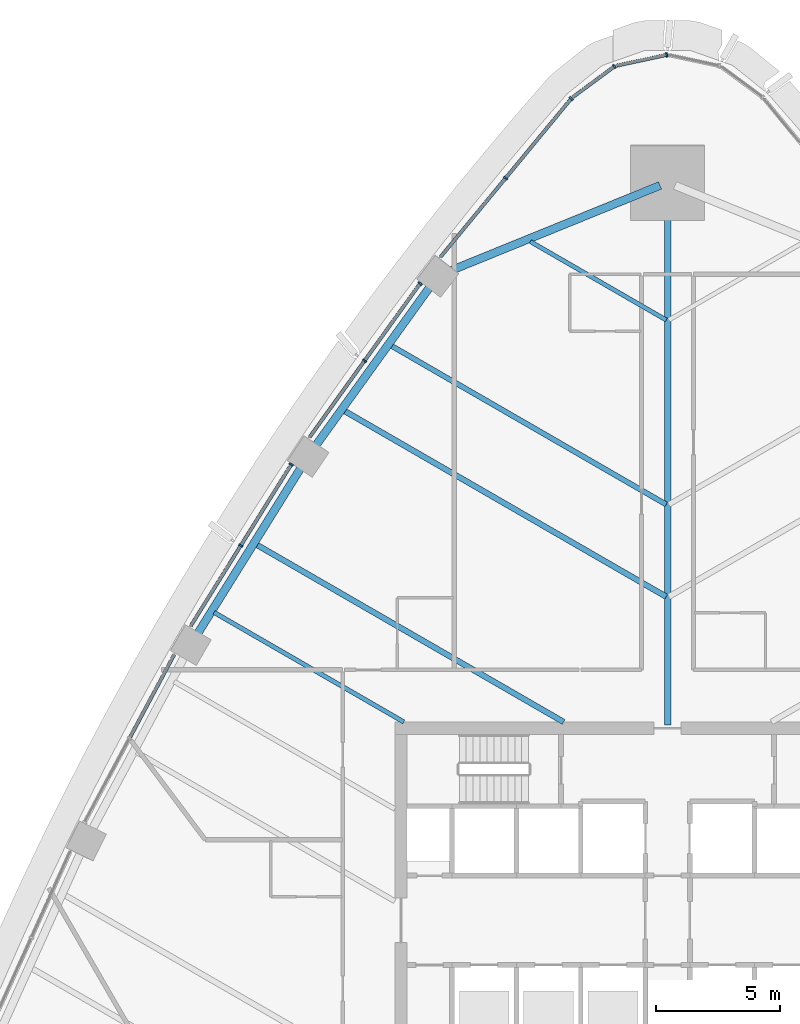
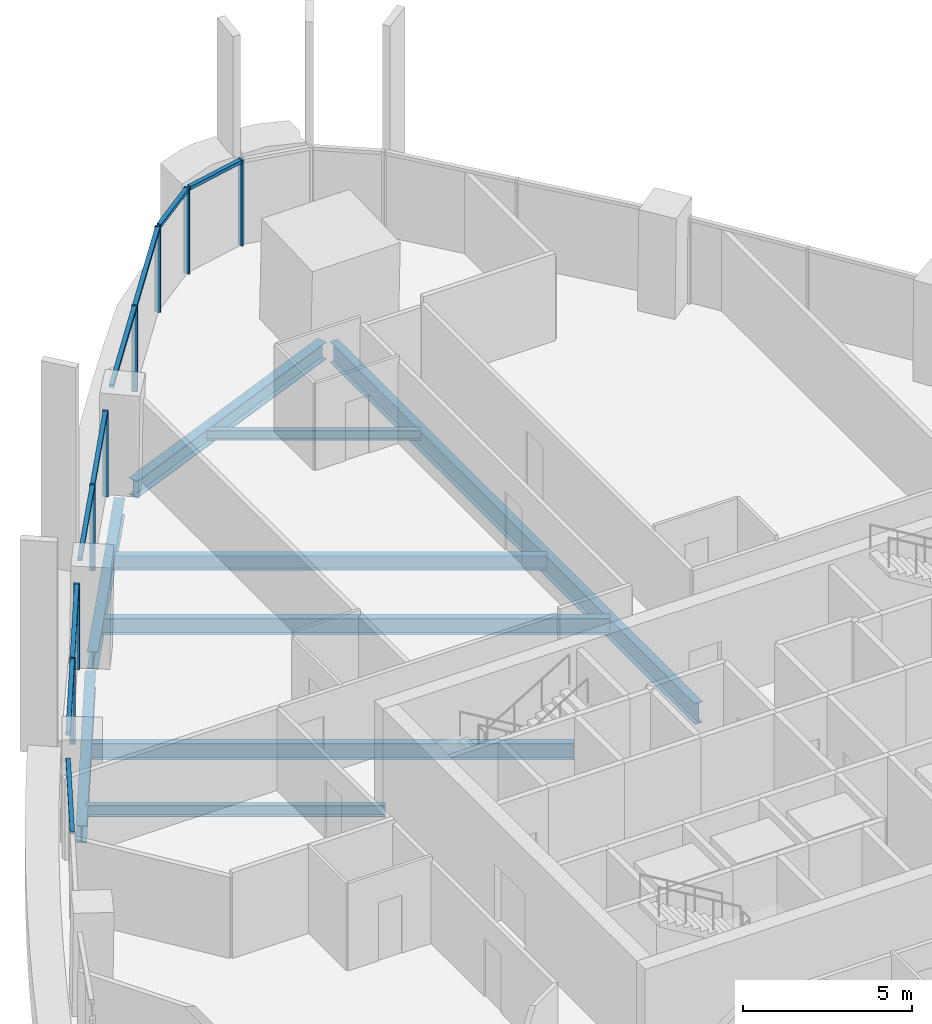
# One storey, part 6 of 22: 17 members, 9 beams, 6 elements without a shape of their own.
"""IFC4 building model written with IfcOpenShell, lengths in metres."""

from ifc_helpers import new_model, si_unit, direction, frame, origin, origin_2d, place, context, subcontext, project, spatial, rectangle, i_section, extrude, material, layer, layer_set, material_profile, profile_set, type_object, element, aggregate, save


model = new_model("IFC4")

# Units and contexts
model_context = context("Model", 3, precision=1e-05, world=origin(), true_north=direction((0.0, 1.0)))
body_context = subcontext(model_context, "Body", "Model", "MODEL_VIEW")
ifc_project = project(units=[si_unit("LENGTHUNIT", "METRE"), si_unit("AREAUNIT", "SQUARE_METRE"), si_unit("VOLUMEUNIT", "CUBIC_METRE"), si_unit("PLANEANGLEUNIT", "RADIAN"), si_unit("MASSUNIT", "GRAM", prefix="KILO")], contexts=[model_context])

# Site, building, storey
site_placement = place(None, origin())
site = spatial("IfcSite", under=ifc_project, at=site_placement, CompositionType="ELEMENT")
building_placement = place(site_placement, origin())
building = spatial("IfcBuilding", under=site, at=building_placement, Name="Sierra Prisma Convention Tower", CompositionType="ELEMENT")
storey_placement = place(building_placement, frame((0.0, 0.0, 96.10009765625)))
storey = spatial("IfcBuildingStorey", under=building, at=storey_placement, Name="L20", CompositionType="ELEMENT", Elevation=96.10009765625)

# Curtain wall, member
ifc_material_1 = material(Name="Aluminium and glass curtain wall", Category="aluminium")
ifc_layer = layer(ifc_material_1, 0.179931640625)
ifc_layer_set = layer_set([ifc_layer], Name="CW-1 Plain shaft curtain wall")
curtain_wall_type = type_object("IfcCurtainWallType", Name="CW-1 Plain shaft curtain wall", PredefinedType="NOTDEFINED", material=ifc_layer_set)
curtain_wall_1_placement = place(storey_placement, origin())
curtain_wall_1 = element("IfcCurtainWall", 1, at=curtain_wall_1_placement, inside=storey, type_object=curtain_wall_type, Name="CW-1 N3 L20", PredefinedType="NOTDEFINED")
ifc_material_2 = material(Name="Aluminium 6063-T6 bronze anodised", Category="aluminium")
ifc_material_profile_1 = material_profile(ifc_material_2, rectangle(XDim=0.179931640625, YDim=0.070068359375, at=origin_2d()), Name="ALU MULLION 70x180")
ifc_profile_set_1 = profile_set([ifc_material_profile_1], Name="Aluminium 6063-T6 bronze anodised")
member_type_1 = type_object("IfcMemberType", Name="CW mullion bronze", PredefinedType="MULLION", material=ifc_profile_set_1)
member_1_placement = place(storey_placement, frame((-0.0341796875, 34.901611328125, 0.0), z_axis=(0.0, 0.0, 1.0), x_axis=(0.210319970354, -0.977632604852, 0.0)))
member_1 = element("IfcMember", 2, at=member_1_placement, type_object=member_type_1, Name="CW-1 mullion N3.1", PredefinedType="MULLION", context=body_context, shape_type="SweptSolid", body=[
    extrude(rectangle(XDim=0.179931640625, YDim=0.070068359375, at=origin_2d()), origin(), (0.0, 0.0, 1.0), 3.099853515625),
])

curtain_wall_2_placement = place(storey_placement, origin())
curtain_wall_2 = element("IfcCurtainWall", 3, at=curtain_wall_2_placement, inside=storey, type_object=curtain_wall_type, Name="CW-1 N4 L20", PredefinedType="NOTDEFINED")
member_2_placement = place(storey_placement, frame((-2.14599609375, 34.4326171875, 0.0), z_axis=(0.0, 0.0, 1.0), x_axis=(0.593746324632, -0.804652286386, 0.0)))
member_2 = element("IfcMember", 4, at=member_2_placement, type_object=member_type_1, Name="CW-1 mullion N4.1", PredefinedType="MULLION", context=body_context, shape_type="SweptSolid", body=[
    extrude(rectangle(XDim=0.179931640625, YDim=0.070068359375, at=origin_2d()), origin(), (0.0, 0.0, 1.0), 3.099853515625),
])

# Curtain wall, members
curtain_wall_3_placement = place(storey_placement, origin())
curtain_wall_3 = element("IfcCurtainWall", 5, at=curtain_wall_3_placement, inside=storey, type_object=curtain_wall_type, Name="CW-1 NW1 L20", PredefinedType="NOTDEFINED")
member_3_placement = place(storey_placement, frame((-3.88330078125, 33.14013671875, 0.0), z_axis=(0.0, 0.0, 1.0), x_axis=(0.771295278051, -0.636477489041, 0.0)))
member_3 = element("IfcMember", 6, at=member_3_placement, type_object=member_type_1, Name="CW-1 mullion NW1.1", PredefinedType="MULLION", context=body_context, shape_type="SweptSolid", body=[
    extrude(rectangle(XDim=0.179931640625, YDim=0.070068359375, at=origin_2d()), origin(), (0.0, 0.0, 1.0), 3.099853515625),
])
member_4_placement = place(storey_placement, frame((-6.53076171875, 29.93212890625, 0.0), z_axis=(0.0, 0.0, 1.0), x_axis=(0.771295278051, -0.636477489041, 0.0)))
member_4 = element("IfcMember", 7, at=member_4_placement, type_object=member_type_1, Name="CW-1 mullion NW1.2", PredefinedType="MULLION", context=body_context, shape_type="SweptSolid", body=[
    extrude(rectangle(XDim=0.179931640625, YDim=0.070068359375, at=origin_2d()), origin(), (0.0, 0.0, 1.0), 3.099853515625),
])

curtain_wall_4_placement = place(storey_placement, origin())
curtain_wall_4 = element("IfcCurtainWall", 8, at=curtain_wall_4_placement, inside=storey, type_object=curtain_wall_type, Name="CW-1 NW2 L20", PredefinedType="NOTDEFINED")
member_5_placement = place(storey_placement, frame((-9.979248046875, 25.681640625, 0.0), z_axis=(0.0, 0.0, 1.0), x_axis=(0.811902280835, -0.58379335931, 0.0)))
member_5 = element("IfcMember", 9, at=member_5_placement, type_object=member_type_1, Name="CW-1 mullion NW2.1", PredefinedType="MULLION", context=body_context, shape_type="SweptSolid", body=[
    extrude(rectangle(XDim=0.179931640625, YDim=0.070068359375, at=origin_2d()), origin(), (0.0, 0.0, 1.0), 3.099853515625),
])
member_6_placement = place(storey_placement, frame((-12.21923828125, 22.566650390625, 0.0), z_axis=(0.0, 0.0, 1.0), x_axis=(0.811902280835, -0.58379335931, 0.0)))
member_6 = element("IfcMember", 10, at=member_6_placement, type_object=member_type_1, Name="CW-1 mullion NW2.2", PredefinedType="MULLION", context=body_context, shape_type="SweptSolid", body=[
    extrude(rectangle(XDim=0.179931640625, YDim=0.070068359375, at=origin_2d()), origin(), (0.0, 0.0, 1.0), 3.099853515625),
])

curtain_wall_5_placement = place(storey_placement, origin())
curtain_wall_5 = element("IfcCurtainWall", 11, at=curtain_wall_5_placement, inside=storey, type_object=curtain_wall_type, Name="CW-1 NW3 L20", PredefinedType="NOTDEFINED")
member_7_placement = place(storey_placement, frame((-15.17236328125, 18.385986328125, 0.0), z_axis=(0.0, 0.0, 1.0), x_axis=(0.848916984477, -0.528526208875, 0.0)))
member_7 = element("IfcMember", 12, at=member_7_placement, type_object=member_type_1, Name="CW-1 mullion NW3.1", PredefinedType="MULLION", context=body_context, shape_type="SweptSolid", body=[
    extrude(rectangle(XDim=0.179931640625, YDim=0.070068359375, at=origin_2d()), origin(), (0.0, 0.0, 1.0), 3.099853515625),
])
member_8_placement = place(storey_placement, frame((-17.208740234375, 15.114990234375, 0.0), z_axis=(0.0, 0.0, 1.0), x_axis=(0.848916984477, -0.528526208875, 0.0)))
member_8 = element("IfcMember", 13, at=member_8_placement, type_object=member_type_1, Name="CW-1 mullion NW3.2", PredefinedType="MULLION", context=body_context, shape_type="SweptSolid", body=[
    extrude(rectangle(XDim=0.179931640625, YDim=0.070068359375, at=origin_2d()), origin(), (0.0, 0.0, 1.0), 3.099853515625),
])

# Member
ifc_material_3 = material(Name="Aluminium 6063-T6 bronze anodised", Category="aluminium")
ifc_material_profile_2 = material_profile(ifc_material_3, rectangle(XDim=0.139892578125, YDim=0.1201171875, at=origin_2d()), Name="ALU TRANSOM 120x140")
ifc_profile_set_2 = profile_set([ifc_material_profile_2], Name="Aluminium 6063-T6 bronze anodised")
member_type_2 = type_object("IfcMemberType", Name="CW transom bronze", PredefinedType="USERDEFINED", material=ifc_profile_set_2)
member_9_placement = place(storey_placement, frame((-0.068359375, 34.894287109375, 3.039794921875), z_axis=(-0.977646979759, -0.210253140212, 0.0), x_axis=(0.210253140212, -0.977646979759, 0.0)))
member_9 = element("IfcMember", 14, at=member_9_placement, type_object=member_type_2, Name="CW-1 transom N3.1", ObjectType="TRANSOM", PredefinedType="USERDEFINED", context=body_context, shape_type="SweptSolid", body=[
    extrude(rectangle(XDim=0.139892578125, YDim=0.1201171875, at=origin_2d()), origin(), (0.0, 0.0, 1.0), 2.0263671875),
])

aggregate(curtain_wall_1, [member_1, member_9])

member_10_placement = place(storey_placement, frame((-2.174072265625, 34.411865234375, 3.039794921875), z_axis=(-0.804674120366, -0.593716733817, 0.0), x_axis=(0.593716733817, -0.804674120366, 0.0)))
member_10 = element("IfcMember", 15, at=member_10_placement, type_object=member_type_2, Name="CW-1 transom N4.1", ObjectType="TRANSOM", PredefinedType="USERDEFINED", context=body_context, shape_type="SweptSolid", body=[
    extrude(rectangle(XDim=0.139892578125, YDim=0.1201171875, at=origin_2d()), origin(), (0.0, 0.0, 1.0), 2.0263671875),
])

aggregate(curtain_wall_2, [member_2, member_10])

member_11_placement = place(storey_placement, frame((-3.905517578125, 33.11328125, 3.039794921875), z_axis=(-0.636453996235, -0.771314663854, 0.0), x_axis=(0.771314663854, -0.636453996235, 0.0)))
member_11 = element("IfcMember", 16, at=member_11_placement, type_object=member_type_2, Name="CW-1 transom NW1.1", ObjectType="TRANSOM", PredefinedType="USERDEFINED", context=body_context, shape_type="SweptSolid", body=[
    extrude(rectangle(XDim=0.139892578125, YDim=0.1201171875, at=origin_2d()), origin(), (0.0, 0.0, 1.0), 4.089599609375),
])

member_12_placement = place(storey_placement, frame((-6.552978515625, 29.905029296875, 3.039794921875), z_axis=(-0.636453996235, -0.771314663854, 0.0), x_axis=(0.771314663854, -0.636453996235, 0.0)))
member_12 = element("IfcMember", 17, at=member_12_placement, type_object=member_type_2, Name="CW-1 transom NW1.2", ObjectType="TRANSOM", PredefinedType="USERDEFINED", context=body_context, shape_type="SweptSolid", body=[
    extrude(rectangle(XDim=0.139892578125, YDim=0.1201171875, at=origin_2d()), origin(), (0.0, 0.0, 1.0), 4.089599609375),
])

aggregate(curtain_wall_3, [member_3, member_4, member_11, member_12])

member_13_placement = place(storey_placement, frame((-9.999755859375, 25.6533203125, 3.039794921875), z_axis=(-0.583816318996, -0.811885771321, 0.0), x_axis=(0.811885771321, -0.583816318996, 0.0)))
member_13 = element("IfcMember", 18, at=member_13_placement, type_object=member_type_2, Name="CW-1 transom NW2.1", ObjectType="TRANSOM", PredefinedType="USERDEFINED", context=body_context, shape_type="SweptSolid", body=[
    extrude(rectangle(XDim=0.139892578125, YDim=0.1201171875, at=origin_2d()), origin(), (0.0, 0.0, 1.0), 3.76708984375),
])

member_14_placement = place(storey_placement, frame((-12.23974609375, 22.5380859375, 3.039794921875), z_axis=(-0.583804317055, -0.811894401624, 0.0), x_axis=(0.811894401624, -0.583804317055, 0.0)))
member_14 = element("IfcMember", 19, at=member_14_placement, type_object=member_type_2, Name="CW-1 transom NW2.2", ObjectType="TRANSOM", PredefinedType="USERDEFINED", context=body_context, shape_type="SweptSolid", body=[
    extrude(rectangle(XDim=0.139892578125, YDim=0.1201171875, at=origin_2d()), origin(), (0.0, 0.0, 1.0), 3.7666015625),
])

aggregate(curtain_wall_4, [member_5, member_6, member_13, member_14])

member_15_placement = place(storey_placement, frame((-15.19091796875, 18.356201171875, 3.039794921875), z_axis=(-0.528501413764, -0.848932421132, 0.0), x_axis=(0.848932421132, -0.528501413764, 0.0)))
member_15 = element("IfcMember", 20, at=member_15_placement, type_object=member_type_2, Name="CW-1 transom NW3.1", ObjectType="TRANSOM", PredefinedType="USERDEFINED", context=body_context, shape_type="SweptSolid", body=[
    extrude(rectangle(XDim=0.139892578125, YDim=0.1201171875, at=origin_2d()), origin(), (0.0, 0.0, 1.0), 3.782958984375),
])

member_16_placement = place(storey_placement, frame((-17.227294921875, 15.085205078125, 3.039794921875), z_axis=(-0.52854792301, -0.848903465113, 0.0), x_axis=(0.848903465113, -0.52854792301, 0.0)))
member_16 = element("IfcMember", 21, at=member_16_placement, type_object=member_type_2, Name="CW-1 transom NW3.2", ObjectType="TRANSOM", PredefinedType="USERDEFINED", context=body_context, shape_type="SweptSolid", body=[
    extrude(rectangle(XDim=0.139892578125, YDim=0.1201171875, at=origin_2d()), origin(), (0.0, 0.0, 1.0), 3.782958984375),
])

aggregate(curtain_wall_5, [member_7, member_8, member_15, member_16])

# Curtain wall, member
curtain_wall_6_placement = place(storey_placement, origin())
curtain_wall_6 = element("IfcCurtainWall", 22, at=curtain_wall_6_placement, inside=storey, type_object=curtain_wall_type, Name="CW-1 NW4 L20", PredefinedType="NOTDEFINED")
member_17_placement = place(storey_placement, frame((-19.896240234375, 10.7138671875, 3.039794921875), z_axis=(-0.470983442926, -0.882142050063, 0.0), x_axis=(0.882142050063, -0.470983442926, 0.0)))
member_17 = element("IfcMember", 23, at=member_17_placement, type_object=member_type_2, Name="CW-1 transom NW4.1", ObjectType="TRANSOM", PredefinedType="USERDEFINED", context=body_context, shape_type="SweptSolid", body=[
    extrude(rectangle(XDim=0.139892578125, YDim=0.1201171875, at=origin_2d()), origin(), (0.0, 0.0, 1.0), 3.782958984375),
])
aggregate(curtain_wall_6, [member_17])

# Beams
ifc_material_4 = material(Name="Steel ASTM A992 Gr 50", Category="steel")
ifc_material_profile_3 = material_profile(ifc_material_4, i_section(OverallWidth=0.172119140625, OverallDepth=0.35791015625, WebThickness=0.0078125, FlangeThickness=0.01318359375, at=origin_2d()), Name="W360x57")
ifc_profile_set_3 = profile_set([ifc_material_profile_3], Name="Steel ASTM A992 Gr 50")
beam_type_1 = type_object("IfcBeamType", Name="Floor joist W360x57", PredefinedType="JOIST", material=ifc_profile_set_3)
beam_1_placement = place(storey_placement, frame((-5.53466796875, 27.374755859375, -0.3291015625), z_axis=(0.866012803942, -0.500021822932, 0.0), x_axis=(0.500021822932, 0.866012803942, 0.0)))
element("IfcBeam", 24, at=beam_1_placement, inside=storey, type_object=beam_type_1, Name="Floor joist L20 NW02", PredefinedType="JOIST", context=body_context, shape_type="SweptSolid", body=[
    extrude(i_section(OverallWidth=0.172119140625, OverallDepth=0.35791015625, WebThickness=0.0078125, FlangeThickness=0.01318359375, at=origin_2d()), origin(), (0.0, 0.0, 1.0), 6.329833984375),
])
ifc_material_5 = material(Name="Steel ASTM A992 Gr 50", Category="steel")
ifc_material_profile_4 = material_profile(ifc_material_5, i_section(OverallWidth=0.177978515625, OverallDepth=0.406982421875, WebThickness=0.0078125, FlangeThickness=0.0126953125, at=origin_2d()), Name="W410x60")
ifc_profile_set_4 = profile_set([ifc_material_profile_4], Name="Steel ASTM A992 Gr 50")
beam_type_2 = type_object("IfcBeamType", Name="Floor joist W410x60", PredefinedType="JOIST", material=ifc_profile_set_4)
beam_2_placement = place(storey_placement, frame((-18.28515625, 12.416748046875, -0.353515625), z_axis=(0.866028643188, -0.499994389147, 0.0), x_axis=(0.499994389147, 0.866028643188, 0.0)))
element("IfcBeam", 25, at=beam_2_placement, inside=storey, type_object=beam_type_2, Name="Floor joist L20 NW08", PredefinedType="JOIST", context=body_context, shape_type="SweptSolid", body=[
    extrude(i_section(OverallWidth=0.177978515625, OverallDepth=0.406982421875, WebThickness=0.0078125, FlangeThickness=0.0126953125, at=origin_2d()), origin(), (0.0, 0.0, 1.0), 8.83349609375),
])
ifc_material_6 = material(Name="Steel ASTM A992 Gr 50", Category="steel")
ifc_material_profile_5 = material_profile(ifc_material_6, i_section(OverallWidth=0.208984375, OverallDepth=0.532958984375, WebThickness=0.01025390625, FlangeThickness=0.015625, at=origin_2d()), Name="W530x92")
ifc_profile_set_5 = profile_set([ifc_material_profile_5], Name="Steel ASTM A992 Gr 50")
beam_type_3 = type_object("IfcBeamType", Name="Floor joist W530x92", PredefinedType="JOIST", material=ifc_profile_set_5)
beam_3_placement = place(storey_placement, frame((-11.1494140625, 23.176513671875, -0.41650390625), z_axis=(0.866026617329, -0.499997898073, 0.0), x_axis=(0.499997898073, 0.866026617329, 0.0)))
element("IfcBeam", 26, at=beam_3_placement, inside=storey, type_object=beam_type_3, Name="Floor joist L20 NW04", PredefinedType="JOIST", context=body_context, shape_type="SweptSolid", body=[
    extrude(i_section(OverallWidth=0.208984375, OverallDepth=0.532958984375, WebThickness=0.01025390625, FlangeThickness=0.015625, at=origin_2d()), origin(), (0.0, 0.0, 1.0), 12.81298828125),
])
ifc_material_7 = material(Name="Steel ASTM A992 Gr 50", Category="steel")
ifc_material_profile_6 = material_profile(ifc_material_7, i_section(OverallWidth=0.22802734375, OverallDepth=0.60302734375, WebThickness=0.010498046875, FlangeThickness=0.014892578125, at=origin_2d()), Name="W610x101")
ifc_profile_set_6 = profile_set([ifc_material_profile_6], Name="Steel ASTM A992 Gr 50")
beam_type_4 = type_object("IfcBeamType", Name="Floor joist W610x101", PredefinedType="JOIST", material=ifc_profile_set_6)
beam_4_placement = place(storey_placement, frame((-13.03955078125, 20.5478515625, -0.45166015625), z_axis=(0.866032403284, -0.499987876315, 0.0), x_axis=(0.499987876315, 0.866032403284, 0.0)))
element("IfcBeam", 27, at=beam_4_placement, inside=storey, type_object=beam_type_4, Name="Floor joist L20 NW05", PredefinedType="JOIST", context=body_context, shape_type="SweptSolid", body=[
    extrude(i_section(OverallWidth=0.22802734375, OverallDepth=0.60302734375, WebThickness=0.010498046875, FlangeThickness=0.014892578125, at=origin_2d()), origin(), (0.0, 0.0, 1.0), 14.995361328125),
])
beam_5_placement = place(storey_placement, frame((-16.58154296875, 15.153076171875, -0.45166015625), z_axis=(0.866028148673, -0.499995245684, 0.0), x_axis=(0.499995245684, 0.866028148673, 0.0)))
element("IfcBeam", 28, at=beam_5_placement, inside=storey, type_object=beam_type_4, Name="Floor joist L20 NW07", PredefinedType="JOIST", context=body_context, shape_type="SweptSolid", body=[
    extrude(i_section(OverallWidth=0.22802734375, OverallDepth=0.60302734375, WebThickness=0.010498046875, FlangeThickness=0.014892578125, at=origin_2d()), origin(), (0.0, 0.0, 1.0), 14.306396484375),
])
ifc_material_8 = material(Name="Steel ASTM A992 Gr 50", Category="steel")
ifc_material_profile_7 = material_profile(ifc_material_8, i_section(OverallWidth=0.264892578125, OverallDepth=0.7529296875, WebThickness=0.01318359375, FlangeThickness=0.01708984375, at=origin_2d()), Name="W760x147")
ifc_profile_set_7 = profile_set([ifc_material_profile_7], Name="Steel ASTM A992 Gr 50")
beam_type_5 = type_object("IfcBeamType", Name="Radial girder W760x147", PredefinedType="BEAM", material=ifc_profile_set_7)
beam_6_placement = place(storey_placement, frame((0.0, 29.458984375, -0.526611328125), z_axis=(0.0, -1.0, 0.0), x_axis=(1.0, 0.0, 0.0)))
element("IfcBeam", 29, at=beam_6_placement, inside=storey, type_object=beam_type_5, Name="Radial girder L20 N", PredefinedType="BEAM", context=body_context, shape_type="SweptSolid", body=[
    extrude(i_section(OverallWidth=0.264892578125, OverallDepth=0.7529296875, WebThickness=0.01318359375, FlangeThickness=0.01708984375, at=origin_2d()), origin(), (0.0, 0.0, 1.0), 21.5791015625),
])
ifc_material_9 = material(Name="Steel ASTM A992 Gr 50", Category="steel")
ifc_material_profile_8 = material_profile(ifc_material_9, i_section(OverallWidth=0.324951171875, OverallDepth=0.615966796875, WebThickness=0.013916015625, FlangeThickness=0.021484375, at=origin_2d()), Name="W610x174")
ifc_profile_set_8 = profile_set([ifc_material_profile_8], Name="Steel ASTM A992 Gr 50")
beam_type_6 = type_object("IfcBeamType", Name="Spandrel beam W610x174", PredefinedType="BEAM", material=ifc_profile_set_8)
beam_7_placement = place(storey_placement, frame((-0.300048828125, 29.636962890625, -0.4580078125), z_axis=(-0.926285882454, -0.376821528002, 0.0), x_axis=(0.376821528002, -0.926285882454, 0.0)))
element("IfcBeam", 30, at=beam_7_placement, inside=storey, type_object=beam_type_6, Name="Spandrel L20-13", PredefinedType="BEAM", context=body_context, shape_type="SweptSolid", body=[
    extrude(i_section(OverallWidth=0.324951171875, OverallDepth=0.615966796875, WebThickness=0.013916015625, FlangeThickness=0.021484375, at=origin_2d()), origin(), (0.0, 0.0, 1.0), 9.104248046875),
])
for number, where, z_axis, x_axis, name in (
    (31, (-9.5458984375, 25.599853515625, -0.4580078125), (-0.583798238148, -0.811898772714, 0.0), (0.811898772714, -0.583798238148, 0.0), "Spandrel L20-14"),
    (32, (-14.75146484375, 18.305419921875, -0.4580078125), (-0.528519870596, -0.848920930585, 0.0), (0.848920930585, -0.528519870596, 0.0), "Spandrel L20-15"),
):
    element("IfcBeam", number, at=place(storey_placement, frame(where, z_axis=z_axis, x_axis=x_axis)), inside=storey, type_object=beam_type_6, Name=name, PredefinedType="BEAM", context=body_context, shape_type="SweptSolid", body=[
        extrude(i_section(OverallWidth=0.324951171875, OverallDepth=0.615966796875, WebThickness=0.013916015625, FlangeThickness=0.021484375, at=origin_2d()), origin(), (0.0, 0.0, 1.0), 8.001708984375),
    ])

save(model, "model.ifc")
